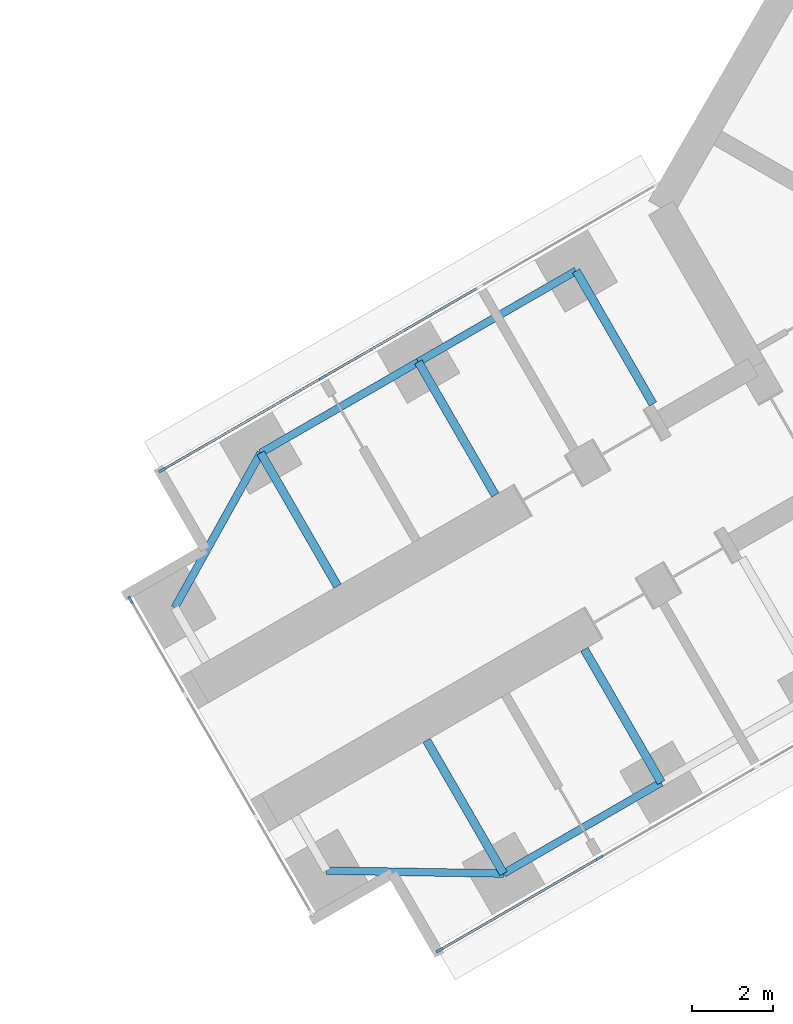
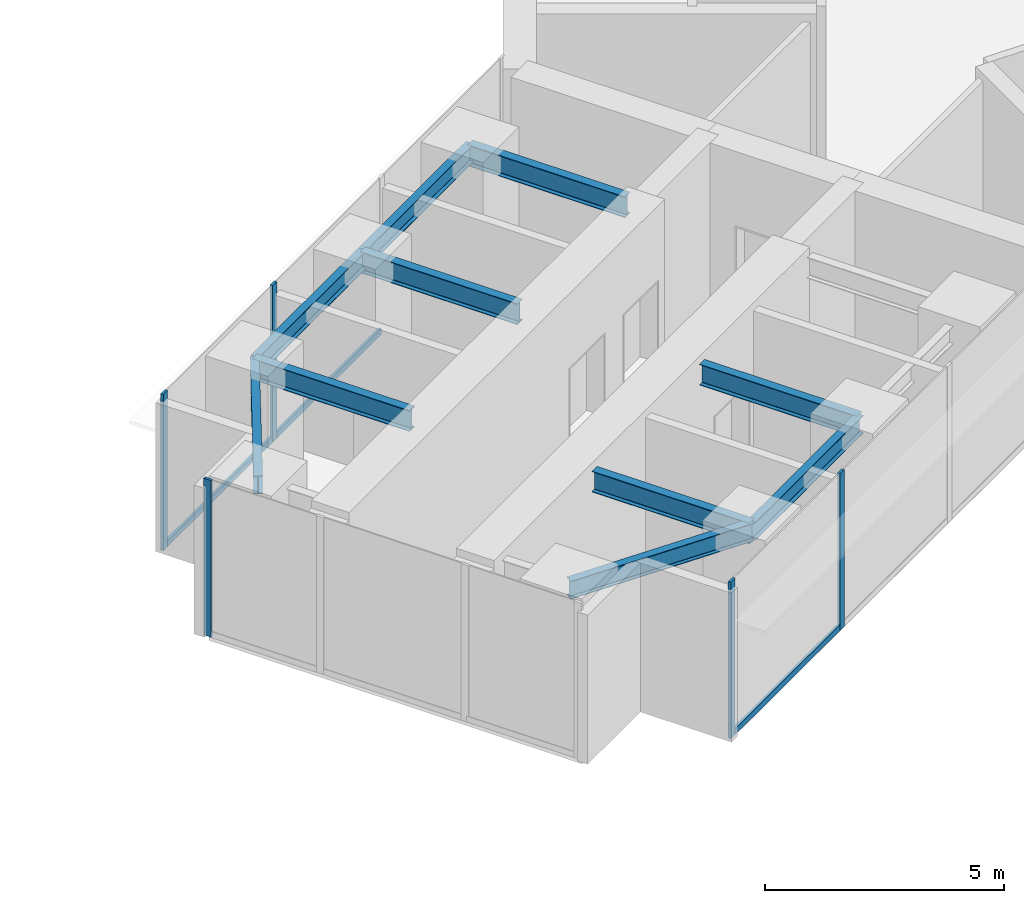
# One storey, part 4 of 22: 10 beams, 8 members, 3 elements without a shape of their own.
"""IFC4 building model written with IfcOpenShell, lengths in metres."""

from ifc_helpers import new_model, si_unit, direction, frame, origin, origin_2d, place, context, subcontext, project, spatial, rectangle, i_section, extrude, material, material_profile, profile_set, type_object, element, aggregate, save


model = new_model("IFC4")

# Units and contexts
model_context = context("Model", 3, precision=1e-05, world=origin(), true_north=direction((0.0, 1.0)))
body_context = subcontext(model_context, "Body", "Model", "MODEL_VIEW")
ifc_project = project(units=[si_unit("LENGTHUNIT", "METRE"), si_unit("AREAUNIT", "SQUARE_METRE"), si_unit("VOLUMEUNIT", "CUBIC_METRE"), si_unit("PLANEANGLEUNIT", "RADIAN"), si_unit("MASSUNIT", "GRAM", prefix="KILO")], contexts=[model_context])

# Site, building, storey
site_placement = place(None, origin())
site = spatial("IfcSite", under=ifc_project, at=site_placement, CompositionType="ELEMENT")
building_placement = place(site_placement, origin())
building = spatial("IfcBuilding", under=site, at=building_placement, Name="Upepo Twin Towers", CompositionType="ELEMENT")
storey_placement = place(building_placement, frame((0.0, 0.0, 36.5)))
storey = spatial("IfcBuildingStorey", under=building, at=storey_placement, Name="L08", CompositionType="ELEMENT", Elevation=36.5)

# Beams
ifc_material_1 = material(Name="Steel S355", Category="steel")
ifc_material_profile_1 = material_profile(ifc_material_1, i_section(OverallWidth=0.1904296875, OverallDepth=0.45703125, WebThickness=0.009033203125, FlangeThickness=0.014404296875, FilletRadius=0.01025390625, at=origin_2d()), Name="UB 457x191x74")
ifc_profile_set_1 = profile_set([ifc_material_profile_1], Name="Steel S355")
beam_type_1 = type_object("IfcBeamType", Name="Beam UB 457x191x74", PredefinedType="BEAM", material=ifc_profile_set_1)
beam_1_placement = place(storey_placement, frame((45.91162109375, -32.196044921875, 3.571533203125), z_axis=(-0.866031096941, -0.499990139034, 0.0), x_axis=(0.499990139034, -0.866031096941, 0.0)))
element("IfcBeam", 1, at=beam_1_placement, inside=storey, type_object=beam_type_1, Name="T2 edge beam BL 18.0-22.5", PredefinedType="BEAM", context=body_context, shape_type="SweptSolid", body=[
    extrude(i_section(OverallWidth=0.1904296875, OverallDepth=0.45703125, WebThickness=0.009033203125, FlangeThickness=0.014404296875, FilletRadius=0.01025390625, at=origin_2d()), origin(), (0.0, 0.0, 1.0), 4.5),
])
beam_2_placement = place(storey_placement, frame((42.014404296875, -34.446044921875, 3.571533203125), z_axis=(-0.999858804832, 0.016803880528, 0.0), x_axis=(-0.016803880528, -0.999858804832, 0.0)))
element("IfcBeam", 2, at=beam_2_placement, inside=storey, type_object=beam_type_1, Name="T2 nose edge beam BL", PredefinedType="BEAM", context=body_context, shape_type="SweptSolid", body=[
    extrude(i_section(OverallWidth=0.1904296875, OverallDepth=0.45703125, WebThickness=0.009033203125, FlangeThickness=0.014404296875, FilletRadius=0.01025390625, at=origin_2d()), origin(), (0.0, 0.0, 1.0), 4.373291015625),
])
beam_3_placement = place(storey_placement, frame((43.80859375, -19.553955078125, 3.571533203125), z_axis=(-0.866017533419, -0.500013631625, 0.0), x_axis=(0.500013631625, -0.866017533419, 0.0)))
element("IfcBeam", 3, at=beam_3_placement, inside=storey, type_object=beam_type_1, Name="T2 edge beam BR 13.5-18.0", PredefinedType="BEAM", context=body_context, shape_type="SweptSolid", body=[
    extrude(i_section(OverallWidth=0.1904296875, OverallDepth=0.45703125, WebThickness=0.009033203125, FlangeThickness=0.014404296875, FilletRadius=0.01025390625, at=origin_2d()), origin(), (0.0, 0.0, 1.0), 4.499755859375),
])
beam_4_placement = place(storey_placement, frame((39.91162109375, -21.803955078125, 3.571533203125), z_axis=(-0.866031096941, -0.499990139034, 0.0), x_axis=(0.499990139034, -0.866031096941, 0.0)))
element("IfcBeam", 4, at=beam_4_placement, inside=storey, type_object=beam_type_1, Name="T2 edge beam BR 18.0-22.5", PredefinedType="BEAM", context=body_context, shape_type="SweptSolid", body=[
    extrude(i_section(OverallWidth=0.1904296875, OverallDepth=0.45703125, WebThickness=0.009033203125, FlangeThickness=0.014404296875, FilletRadius=0.01025390625, at=origin_2d()), origin(), (0.0, 0.0, 1.0), 4.5),
])
beam_5_placement = place(storey_placement, frame((36.014404296875, -24.053955078125, 3.571533203125), z_axis=(-0.485363242752, -0.874312600038, 0.0), x_axis=(0.874312600038, -0.485363242752, 0.0)))
element("IfcBeam", 5, at=beam_5_placement, inside=storey, type_object=beam_type_1, Name="T2 nose edge beam BR", PredefinedType="BEAM", context=body_context, shape_type="SweptSolid", body=[
    extrude(i_section(OverallWidth=0.1904296875, OverallDepth=0.45703125, WebThickness=0.009033203125, FlangeThickness=0.014404296875, FilletRadius=0.01025390625, at=origin_2d()), origin(), (0.0, 0.0, 1.0), 4.373046875),
])
ifc_material_2 = material(Name="Steel S355", Category="steel")
ifc_material_profile_2 = material_profile(ifc_material_2, i_section(OverallWidth=0.209228515625, OverallDepth=0.533203125, WebThickness=0.010009765625, FlangeThickness=0.015625, FilletRadius=0.0126953125, at=origin_2d()), Name="UB 533x210x92")
ifc_profile_set_2 = profile_set([ifc_material_profile_2], Name="Steel S355")
beam_type_2 = type_object("IfcBeamType", Name="Beam UB 533x210x92", PredefinedType="BEAM", material=ifc_profile_set_2)
beam_6_placement = place(storey_placement, frame((45.91162109375, -32.196044921875, 3.533447265625), z_axis=(-0.500043160704, 0.866000483506, 0.0), x_axis=(-0.866000483506, -0.500043160704, 0.0)))
element("IfcBeam", 6, at=beam_6_placement, inside=storey, type_object=beam_type_2, Name="T2 girder BL at 18.0", PredefinedType="BEAM", context=body_context, shape_type="SweptSolid", body=[
    extrude(i_section(OverallWidth=0.209228515625, OverallDepth=0.533203125, WebThickness=0.010009765625, FlangeThickness=0.015625, FilletRadius=0.0126953125, at=origin_2d()), origin(), (0.0, 0.0, 1.0), 3.800048828125),
])
beam_7_placement = place(storey_placement, frame((42.014404296875, -34.446044921875, 3.533447265625), z_axis=(-0.499994975061, 0.866028304915, 0.0), x_axis=(-0.866028304915, -0.499994975061, 0.0)))
element("IfcBeam", 7, at=beam_7_placement, inside=storey, type_object=beam_type_2, Name="T2 girder BL at 22.5", PredefinedType="BEAM", context=body_context, shape_type="SweptSolid", body=[
    extrude(i_section(OverallWidth=0.209228515625, OverallDepth=0.533203125, WebThickness=0.010009765625, FlangeThickness=0.015625, FilletRadius=0.0126953125, at=origin_2d()), origin(), (0.0, 0.0, 1.0), 3.7998046875),
])
beam_8_placement = place(storey_placement, frame((43.80859375, -19.553955078125, 3.533447265625), z_axis=(0.500043160704, -0.866000483506, 0.0), x_axis=(0.866000483506, 0.500043160704, 0.0)))
element("IfcBeam", 8, at=beam_8_placement, inside=storey, type_object=beam_type_2, Name="T2 girder BR at 13.5", PredefinedType="BEAM", context=body_context, shape_type="SweptSolid", body=[
    extrude(i_section(OverallWidth=0.209228515625, OverallDepth=0.533203125, WebThickness=0.010009765625, FlangeThickness=0.015625, FilletRadius=0.0126953125, at=origin_2d()), origin(), (0.0, 0.0, 1.0), 3.800048828125),
])
for number, where, z_axis, x_axis, name in (
    (9, (39.91162109375, -21.803955078125, 3.533447265625), (0.499994975061, -0.866028304915, 0.0), (0.866028304915, 0.499994975061, 0.0), "T2 girder BR at 18.0"),
    (10, (36.014404296875, -24.053955078125, 3.533447265625), (0.499994975061, -0.866028304915, 0.0), (0.866028304915, 0.499994975061, 0.0), "T2 girder BR at 22.5"),
):
    element("IfcBeam", number, at=place(storey_placement, frame(where, z_axis=z_axis, x_axis=x_axis)), inside=storey, type_object=beam_type_2, Name=name, PredefinedType="BEAM", context=body_context, shape_type="SweptSolid", body=[
        extrude(i_section(OverallWidth=0.209228515625, OverallDepth=0.533203125, WebThickness=0.010009765625, FlangeThickness=0.015625, FilletRadius=0.0126953125, at=origin_2d()), origin(), (0.0, 0.0, 1.0), 3.7998046875),
    ])

# Curtain wall, members
ifc_material_3 = material(Name="Aluminium and fritted glass", Category="aluminium")
curtain_wall_type = type_object("IfcCurtainWallType", Name="Tower curtain wall TW1, fritted glass", PredefinedType="NOTDEFINED", material=ifc_material_3)
curtain_wall_1_placement = place(storey_placement, origin())
curtain_wall_1 = element("IfcCurtainWall", 11, at=curtain_wall_1_placement, inside=storey, type_object=curtain_wall_type, Name="T2 L08 wing B flank L curtain wall", PredefinedType="NOTDEFINED")
ifc_material_4 = material(Name="Aluminium mullion", Category="aluminium")
ifc_material_profile_3 = material_profile(ifc_material_4, rectangle(XDim=0.06494140625, YDim=0.179931640625, at=origin_2d()), Name="MULLION 65x180")
ifc_profile_set_3 = profile_set([ifc_material_profile_3], Name="Aluminium mullion")
member_type_1 = type_object("IfcMemberType", Name="Mullion 65x180 TW1", PredefinedType="MULLION", material=ifc_profile_set_3)
member_1_placement = place(storey_placement, frame((44.387939453125, -34.057373046875, 0.0), z_axis=(0.0, 0.0, 1.0), x_axis=(0.500000024426, -0.866025389682, 0.0)))
member_1 = element("IfcMember", 12, at=member_1_placement, type_object=member_type_1, Name="T2 L08 wing B flank L curtain wall mullion 3", PredefinedType="MULLION", context=body_context, shape_type="SweptSolid", body=[
    extrude(rectangle(XDim=0.06494140625, YDim=0.179931640625, at=origin_2d()), origin(), (0.0, 0.0, 1.0), 4.0),
])
member_2_placement = place(storey_placement, frame((40.432373046875, -36.341064453125, 0.0), z_axis=(0.0, 0.0, 1.0), x_axis=(0.500000024426, -0.866025389682, 0.0)))
member_2 = element("IfcMember", 13, at=member_2_placement, type_object=member_type_1, Name="T2 L08 wing B flank L curtain wall mullion 4", PredefinedType="MULLION", context=body_context, shape_type="SweptSolid", body=[
    extrude(rectangle(XDim=0.06494140625, YDim=0.179931640625, at=origin_2d()), origin(), (0.0, 0.0, 1.0), 4.0),
])

curtain_wall_2_placement = place(storey_placement, origin())
curtain_wall_2 = element("IfcCurtainWall", 14, at=curtain_wall_2_placement, inside=storey, type_object=curtain_wall_type, Name="T2 L08 wing B flank R curtain wall", PredefinedType="NOTDEFINED")
member_3_placement = place(storey_placement, frame((33.58251953125, -24.4765625, 0.0), z_axis=(0.0, 0.0, 1.0), x_axis=(-0.500000024426, 0.866025389682, 0.0)))
member_3 = element("IfcMember", 15, at=member_3_placement, type_object=member_type_1, Name="T2 L08 wing B flank R curtain wall mullion 1", PredefinedType="MULLION", context=body_context, shape_type="SweptSolid", body=[
    extrude(rectangle(XDim=0.06494140625, YDim=0.179931640625, at=origin_2d()), origin(), (0.0, 0.0, 1.0), 4.0),
])
member_4_placement = place(storey_placement, frame((37.5380859375, -22.192626953125, 0.0), z_axis=(0.0, 0.0, 1.0), x_axis=(-0.500000024426, 0.866025389682, 0.0)))
member_4 = element("IfcMember", 16, at=member_4_placement, type_object=member_type_1, Name="T2 L08 wing B flank R curtain wall mullion 2", PredefinedType="MULLION", context=body_context, shape_type="SweptSolid", body=[
    extrude(rectangle(XDim=0.06494140625, YDim=0.179931640625, at=origin_2d()), origin(), (0.0, 0.0, 1.0), 4.0),
])

# Curtain wall, member
curtain_wall_3_placement = place(storey_placement, origin())
curtain_wall_3 = element("IfcCurtainWall", 17, at=curtain_wall_3_placement, inside=storey, type_object=curtain_wall_type, Name="T2 L08 wing B nose curtain wall", PredefinedType="NOTDEFINED")
member_5_placement = place(storey_placement, frame((32.796875, -27.68115234375, 0.0), z_axis=(0.0, 0.0, 1.0), x_axis=(0.866025386174, 0.500000030502, 0.0)))
member_5 = element("IfcMember", 18, at=member_5_placement, type_object=member_type_1, Name="T2 L08 wing B nose curtain wall mullion 1", PredefinedType="MULLION", context=body_context, shape_type="SweptSolid", body=[
    extrude(rectangle(XDim=0.06494140625, YDim=0.179931640625, at=origin_2d()), origin(), (0.0, 0.0, 1.0), 4.0),
])
aggregate(curtain_wall_3, [member_5])

# Member
ifc_material_5 = material(Name="Aluminium transom", Category="aluminium")
ifc_material_profile_4 = material_profile(ifc_material_5, rectangle(XDim=0.06494140625, YDim=0.14990234375, at=origin_2d()), Name="TRANSOM 65x150")
ifc_profile_set_4 = profile_set([ifc_material_profile_4], Name="Aluminium transom")
member_type_2 = type_object("IfcMemberType", Name="Transom 65x150 TW1", PredefinedType="USERDEFINED", material=ifc_profile_set_4)
member_6_placement = place(storey_placement, frame((44.35986328125, -34.073486328125, 0.074951171875), z_axis=(-0.866035699072, -0.499982167615, 0.0), x_axis=(0.499982167615, -0.866035699072, 0.0)))
member_6 = element("IfcMember", 19, at=member_6_placement, type_object=member_type_2, Name="T2 L08 wing B flank L curtain wall transom 3", ObjectType="TRANSOM", PredefinedType="USERDEFINED", context=body_context, shape_type="SweptSolid", body=[
    extrude(rectangle(XDim=0.06494140625, YDim=0.14990234375, at=origin_2d()), origin(), (0.0, 0.0, 1.0), 4.502685546875),
])

aggregate(curtain_wall_1, [member_1, member_2, member_6])

member_7_placement = place(storey_placement, frame((33.610595703125, -24.460205078125, 0.074951171875), z_axis=(0.866022143554, 0.500005646842, 0.0), x_axis=(-0.500005646842, 0.866022143554, 0.0)))
member_7 = element("IfcMember", 20, at=member_7_placement, type_object=member_type_2, Name="T2 L08 wing B flank R curtain wall transom 1", ObjectType="TRANSOM", PredefinedType="USERDEFINED", context=body_context, shape_type="SweptSolid", body=[
    extrude(rectangle(XDim=0.06494140625, YDim=0.14990234375, at=origin_2d()), origin(), (0.0, 0.0, 1.0), 4.50244140625),
])

member_8_placement = place(storey_placement, frame((37.566162109375, -22.176513671875, 0.074951171875), z_axis=(0.866022410713, 0.500005184116, 0.0), x_axis=(-0.500005184116, 0.866022410713, 0.0)))
member_8 = element("IfcMember", 21, at=member_8_placement, type_object=member_type_2, Name="T2 L08 wing B flank R curtain wall transom 2", ObjectType="TRANSOM", PredefinedType="USERDEFINED", context=body_context, shape_type="SweptSolid", body=[
    extrude(rectangle(XDim=0.06494140625, YDim=0.14990234375, at=origin_2d()), origin(), (0.0, 0.0, 1.0), 4.43505859375),
])

aggregate(curtain_wall_2, [member_3, member_4, member_7, member_8])

save(model, "model.ifc")
